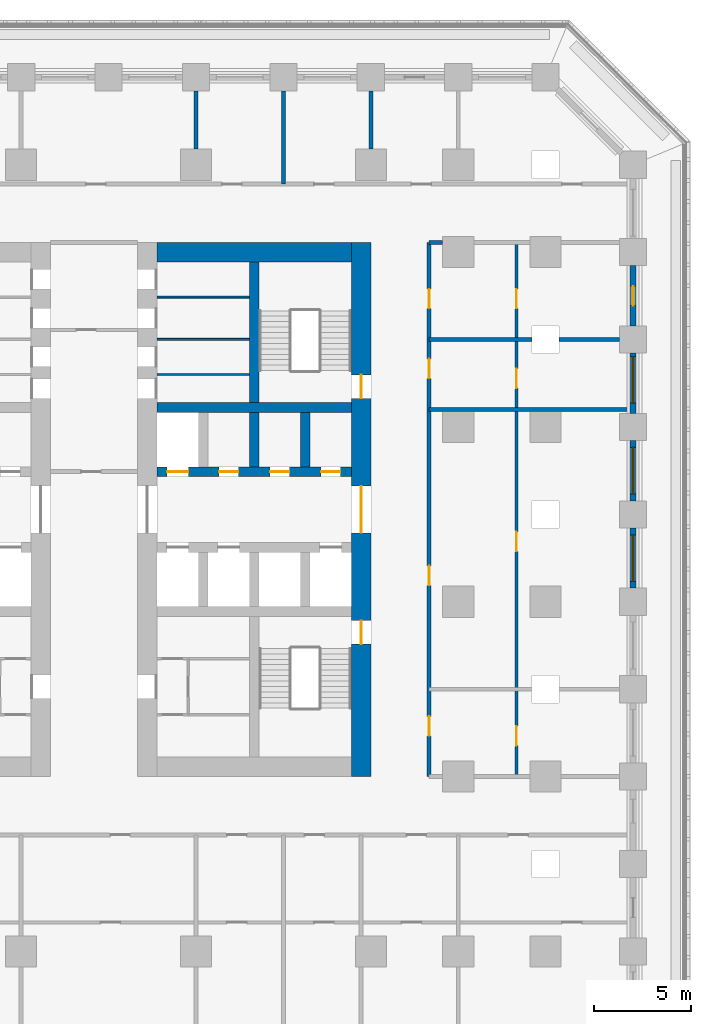
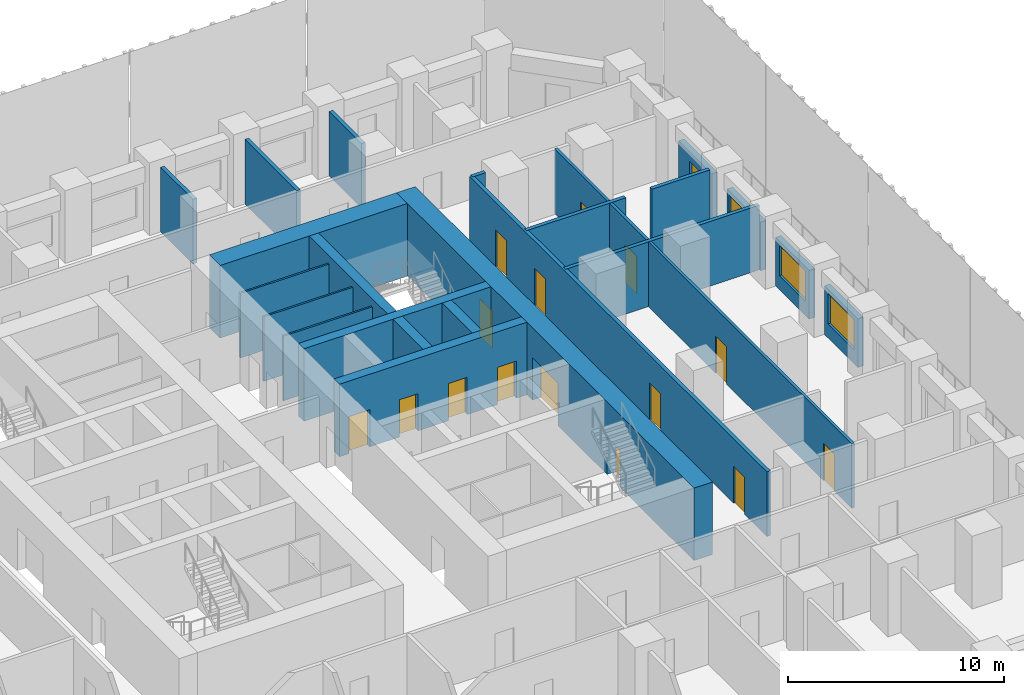
# One storey, part 8 of 15: 23 walls, 16 doors, 3 windows, 19 openings.
"""IFC4 building model written with IfcOpenShell, lengths in metres."""

import ifcopenshell
import ifcopenshell.guid

model = None  # the IFC model being written
_history = None  # IfcOwnerHistory: only IFC2X3 demands one
_inside = {}  # id of a spatial element -> (the spatial element, [elements in it])
_under = {}  # id of a project, library or spatial element -> (it, [spatial elements below it])
_declared = {}  # id of a project -> (the project, [libraries it declares])
_typed = {}  # id of a type object -> (the type object, [elements of that type])
_made_of = {}  # id of a material, layer set ... -> (it, [elements and type objects made of it])


def new_model(schema):
    """Start an empty IFC model of exactly this schema.

    Asked for "IFC4X3", IfcOpenShell would pick the latest addendum, in which some entities
    have other attributes; the version numbers below select the first issue.
    IFC2X3 requires an IfcOwnerHistory on every rooted entity: one is made here for all.
    """
    global model, _history
    if schema == "IFC4X3":
        model = ifcopenshell.file(schema_version=(4, 3, 0, 0))
    else:
        model = ifcopenshell.file(schema=schema)
    _inside.clear()
    _under.clear()
    _declared.clear()
    _typed.clear()
    _made_of.clear()
    _history = None
    if model.schema == "IFC2X3":
        org = make("IfcOrganization", Name="unknown")
        user = make(
            "IfcPersonAndOrganization",
            ThePerson=make("IfcPerson", FamilyName="unknown"),
            TheOrganization=org,
        )
        app = make(
            "IfcApplication",
            ApplicationDeveloper=org,
            Version="unknown",
            ApplicationFullName="unknown",
            ApplicationIdentifier="unknown",
        )
        _history = make(
            "IfcOwnerHistory",
            OwningUser=user,
            OwningApplication=app,
            ChangeAction="ADDED",
            CreationDate=0,
        )
    return model


def make(cls, **values):
    """One entity of the class cls with the attributes given. An attribute that is None is left unset."""
    return model.create_entity(
        cls, **{name: value for name, value in values.items() if value is not None}
    )


def rooted(cls, **values):
    """An entity with a GlobalId (a new one), such as an element, a storey or a relation."""
    return make(cls, GlobalId=ifcopenshell.guid.new(), OwnerHistory=_history, **values)


def si_unit(unit_type, name, prefix=None):
    """IfcSIUnit, for example si_unit("LENGTHUNIT", "METRE", prefix="MILLI")."""
    return make("IfcSIUnit", UnitType=unit_type, Prefix=prefix, Name=name)


def assignment(units):
    """IfcUnitAssignment: the units of a project."""
    return None if units is None else make("IfcUnitAssignment", Units=units)


def point(xyz):
    """IfcCartesianPoint."""
    return None if xyz is None else make("IfcCartesianPoint", Coordinates=xyz)


def direction(xyz):
    """IfcDirection."""
    return None if xyz is None else make("IfcDirection", DirectionRatios=xyz)


def frame(location, z_axis=None, x_axis=None):
    """IfcAxis2Placement3D, a coordinate frame: its origin and axes. An axis left out is left unset."""
    return make(
        "IfcAxis2Placement3D",
        Location=point(location),
        Axis=direction(z_axis),
        RefDirection=direction(x_axis),
    )


def frame_2d(location, x_axis=None):
    """IfcAxis2Placement2D, a coordinate frame in the plane: its origin and x axis."""
    return make(
        "IfcAxis2Placement2D", Location=point(location), RefDirection=direction(x_axis)
    )


def origin():
    """The frame at (0, 0, 0) with its axes left unset."""
    return frame((0.0, 0.0, 0.0))


def place(relative_to, where):
    """IfcLocalPlacement: puts the frame where relative to a parent placement (None: the world)."""
    return make(
        "IfcLocalPlacement", PlacementRelTo=relative_to, RelativePlacement=where
    )


def context(
    kind, dimensions, precision=None, world=None, true_north=None, identifier=None
):
    """IfcGeometricRepresentationContext, for example the 3D "Model" context."""
    return make(
        "IfcGeometricRepresentationContext",
        ContextIdentifier=identifier,
        ContextType=kind,
        CoordinateSpaceDimension=dimensions,
        Precision=precision,
        WorldCoordinateSystem=world,
        TrueNorth=true_north,
    )


def subcontext(parent, identifier, kind, view, scale=None):
    """IfcGeometricRepresentationSubContext, for example "Body" below "Model"."""
    return make(
        "IfcGeometricRepresentationSubContext",
        ContextIdentifier=identifier,
        ContextType=kind,
        ParentContext=parent,
        TargetScale=scale,
        TargetView=view,
    )


def project(units=None, contexts=None):
    """IfcProject with its units and contexts."""
    return rooted(
        "IfcProject",
        Name="project",
        RepresentationContexts=contexts,
        UnitsInContext=assignment(units),
    )


def spatial(cls, under=None, at=None, **own):
    """A site, building, storey or space (cls), placed at a placement, below another one or the project."""
    s = rooted(cls, ObjectPlacement=at, **own)
    if under is not None:
        _under.setdefault(under.id(), (under, []))[1].append(s)
    return s


def profile(cls, at=None, kind="AREA", **sizes):
    """A parametric profile (cls). Its sizes go by their IFC names, for example OverallWidth=200.0."""
    return make(cls, ProfileType=kind, Position=at, **sizes)


def rectangle(**sizes):
    """IfcRectangleProfileDef."""
    return profile("IfcRectangleProfileDef", **sizes)


def extrude(swept, where, along, depth):
    """IfcExtrudedAreaSolid: the profile swept, set in the frame where, extruded along a direction by depth."""
    return make(
        "IfcExtrudedAreaSolid",
        SweptArea=swept,
        Position=where,
        ExtrudedDirection=direction(along),
        Depth=depth,
    )


def shape(context_of_items, identifier, shape_type, items):
    """IfcShapeRepresentation: the items that make up one representation, for example the "Body"."""
    return make(
        "IfcShapeRepresentation",
        ContextOfItems=context_of_items,
        RepresentationIdentifier=identifier,
        RepresentationType=shape_type,
        Items=items,
    )


def material(Name=None, Category=None):
    """IfcMaterial."""
    return make("IfcMaterial", Name=Name, Category=Category)


def layer(
    of_material, thickness, ventilated=None, Name=None, Category=None, Priority=None
):
    """IfcMaterialLayer: one layer of a wall or slab, of a material (None: an air gap)."""
    return make(
        "IfcMaterialLayer",
        Material=of_material,
        LayerThickness=thickness,
        IsVentilated=ventilated,
        Name=Name,
        Category=Category,
        Priority=Priority,
    )


def layer_set(layers, Name=None):
    """IfcMaterialLayerSet."""
    return make("IfcMaterialLayerSet", MaterialLayers=layers, LayerSetName=Name)


def made_of(thing, what):
    """Note that an element or type object is made of a material, layer set ...; save() writes the relation."""
    if what is not None:
        _made_of.setdefault(what.id(), (what, []))[1].append(thing)
    return thing


def type_object(cls, material=None, **own):
    """A type object (cls), such as IfcWallType, which elements share."""
    return made_of(rooted(cls, **own), material)


def element(
    cls,
    number,
    at=None,
    inside=None,
    cuts=None,
    type_object=None,
    material=None,
    context=None,
    identifier="Body",
    shape_type=None,
    held_by="IfcProductDefinitionShape",
    body=None,
    shapes=None,
    **own,
):
    """One element of the class cls, such as IfcWall. Its Tag is "e" and its number.

    at: its placement. inside: the storey or other place that contains it. cuts: it is an
    opening in that element (IfcRelVoidsElement). A single representation is given by context,
    identifier, shape_type and body (its items); several are given by shapes. held_by: the class
    of the entity that holds the representations. save() writes the other relations.
    """
    e = rooted(cls, Tag="e%d" % number, ObjectPlacement=at, **own)
    if body is not None:
        shapes = [shape(context, identifier, shape_type, body)]
    if shapes is not None:
        e.Representation = make(held_by, Representations=shapes)
    if inside is not None:
        _inside.setdefault(inside.id(), (inside, []))[1].append(e)
    if cuts is not None:
        rooted(
            "IfcRelVoidsElement", RelatingBuildingElement=cuts, RelatedOpeningElement=e
        )
    if type_object is not None:
        _typed.setdefault(type_object.id(), (type_object, []))[1].append(e)
    return made_of(e, material)


def fill(opening, filler):
    """IfcRelFillsElement: the door or window that sits in an opening."""
    return rooted(
        "IfcRelFillsElement",
        RelatingOpeningElement=opening,
        RelatedBuildingElement=filler,
    )


def aggregate(whole, parts):
    """IfcRelAggregates: a whole, such as a stair, and the parts it consists of."""
    return rooted("IfcRelAggregates", RelatingObject=whole, RelatedObjects=parts)


def save(model, path):
    """Write the relations noted so far, then the file.

    IfcRelAggregates (storeys below a building ...), IfcRelContainedInSpatialStructure (elements
    in a storey), IfcRelDefinesByType, IfcRelAssociatesMaterial and IfcRelDeclares: one each for
    every whole, place, type object, material and project.
    """
    for whole, parts in _under.values():
        aggregate(whole, parts)
    for where, things in _inside.values():
        rooted(
            "IfcRelContainedInSpatialStructure",
            RelatedElements=things,
            RelatingStructure=where,
        )
    for kind, things in _typed.values():
        rooted("IfcRelDefinesByType", RelatedObjects=things, RelatingType=kind)
    for what, things in _made_of.values():
        rooted("IfcRelAssociatesMaterial", RelatedObjects=things, RelatingMaterial=what)
    for by, libraries in _declared.values():
        rooted("IfcRelDeclares", RelatingContext=by, RelatedDefinitions=libraries)
    model.write(path)


model = new_model("IFC4")

# Units and contexts
model_context = context("Model", 3, precision=1e-05, world=origin(), true_north=direction((0.0, 1.0)))
body_context = subcontext(model_context, "Body", "Model", "MODEL_VIEW")
ifc_project = project(units=[si_unit("LENGTHUNIT", "METRE"), si_unit("AREAUNIT", "SQUARE_METRE"), si_unit("VOLUMEUNIT", "CUBIC_METRE"), si_unit("PLANEANGLEUNIT", "RADIAN"), si_unit("MASSUNIT", "GRAM", prefix="KILO")], contexts=[model_context])

# Site, building, storey
site_placement = place(None, origin())
site = spatial("IfcSite", under=ifc_project, at=site_placement, CompositionType="ELEMENT")
building_placement = place(site_placement, origin())
building = spatial("IfcBuilding", under=site, at=building_placement, Name="Corbel Stack Research Tower", CompositionType="ELEMENT")
storey_placement = place(building_placement, frame((0.0, 0.0, 41.89990234375)))
storey = spatial("IfcBuildingStorey", under=building, at=storey_placement, Name="L09", CompositionType="ELEMENT", Elevation=41.89990234375)

# Wall, openings, doors
ifc_material_1 = material(Name="Concrete C70/85", Category="concrete")
ifc_layer_1 = layer(ifc_material_1, 1.0)
ifc_layer_set_1 = layer_set([ifc_layer_1], Name="Concrete C70/85")
wall_type_1 = type_object("IfcWallType", Name="CW-1000-70", PredefinedType="SHEAR", material=ifc_layer_set_1)
wall_1_placement = place(storey_placement, frame((17.5, -9.0, 0.0), z_axis=(0.0, 0.0, 1.0), x_axis=(0.0, 1.0, 0.0)))
wall_1 = element("IfcWall", 1, at=wall_1_placement, inside=storey, type_object=wall_type_1, Name="East core wall, east face L09", PredefinedType="SHEAR", context=body_context, shape_type="SweptSolid", body=[
    extrude(rectangle(XDim=27.5, YDim=1.0, at=frame_2d((13.75, 0.0))), origin(), (0.0, 0.0, 1.0), 4.10009765625),
])
opening_1_placement = place(wall_1_placement, frame((12.550048828125, 0.0, 0.0)))
opening_1 = element("IfcOpeningElement", 2, at=opening_1_placement, cuts=wall_1, Name="Opening CD-E-E", PredefinedType="OPENING", context=body_context, shape_type="SweptSolid", body=[
    extrude(rectangle(XDim=2.39990234375, YDim=2.39990234375, at=frame_2d((1.199951171875, 1.199951171875))), frame((0.0, 0.510009765625, 0.0), z_axis=(0.0, -1.0, 0.0), x_axis=(1.0, 0.0, 0.0)), (0.0, 0.0, 1.0), 1.02001953125),
])
opening_2_placement = place(wall_1_placement, frame((6.824951171875, 0.0, 0.0)))
opening_2 = element("IfcOpeningElement", 3, at=opening_2_placement, cuts=wall_1, Name="Opening SD-ST-E1", PredefinedType="OPENING", context=body_context, shape_type="SweptSolid", body=[
    extrude(rectangle(XDim=1.199951171875, YDim=2.10009765625, at=frame_2d((0.60009765625, 1.050048828125))), frame((0.0, 0.510009765625, 0.0), z_axis=(0.0, -1.0, 0.0), x_axis=(1.0, 0.0, 0.0)), (0.0, 0.0, 1.0), 1.02001953125),
])
opening_3_placement = place(wall_1_placement, frame((19.47509765625, 0.0, 0.0)))
opening_3 = element("IfcOpeningElement", 4, at=opening_3_placement, cuts=wall_1, Name="Opening SD-ST-E2", PredefinedType="OPENING", context=body_context, shape_type="SweptSolid", body=[
    extrude(rectangle(XDim=1.199951171875, YDim=2.10009765625, at=frame_2d((0.60009765625, 1.050048828125))), frame((0.0, 0.510009765625, 0.0), z_axis=(0.0, -1.0, 0.0), x_axis=(1.0, 0.0, 0.0)), (0.0, 0.0, 1.0), 1.02001953125),
])
ifc_material_2 = material(Name="Painted steel fire door", Category="steel")
door_type_1 = type_object("IfcDoorType", Name="Lobby door pair 2400 x 2400 FD30S", OperationType="DOUBLE_DOOR_DOUBLE_SWING", PredefinedType="DOOR", material=ifc_material_2)
door_1_placement = place(opening_1_placement, origin())
door_1 = element("IfcDoor", 5, at=door_1_placement, inside=storey, type_object=door_type_1, Name="Lift lobby door E core E", OperationType="DOUBLE_DOOR_DOUBLE_SWING", OverallHeight=2.39990234375, OverallWidth=2.39990234375, PredefinedType="DOOR", context=body_context, shape_type="SweptSolid", body=[
    extrude(rectangle(XDim=2.39990234375, YDim=2.39990234375, at=frame_2d((1.199951171875, 1.199951171875))), frame((0.0, 0.02490234375, 0.0), z_axis=(0.0, -1.0, 0.0), x_axis=(1.0, 0.0, 0.0)), (0.0, 0.0, 1.0), 0.050048828125),
])
fill(opening_1, door_1)
ifc_material_3 = material(Name="Painted steel fire door", Category="steel")
door_type_2 = type_object("IfcDoorType", Name="Stair door 1200 x 2100 FD90 right hand", OperationType="SINGLE_SWING_RIGHT", PredefinedType="DOOR", material=ifc_material_3)
door_2_placement = place(opening_2_placement, frame((1.199951171875, 0.0, 0.0), z_axis=(0.0, 0.0, 1.0), x_axis=(-1.0, 0.0, 0.0)))
door_2 = element("IfcDoor", 6, at=door_2_placement, inside=storey, type_object=door_type_2, Name="Stair door ST-E1", OperationType="SINGLE_SWING_LEFT", OverallHeight=2.10009765625, OverallWidth=1.199951171875, PredefinedType="DOOR", context=body_context, shape_type="SweptSolid", body=[
    extrude(rectangle(XDim=1.199951171875, YDim=2.10009765625, at=frame_2d((0.60009765625, 1.050048828125))), frame((0.0, 0.02490234375, 0.0), z_axis=(0.0, -1.0, 0.0), x_axis=(1.0, 0.0, 0.0)), (0.0, 0.0, 1.0), 0.050048828125),
])
fill(opening_2, door_2)
door_3_placement = place(opening_3_placement, frame((1.199951171875, 0.0, 0.0), z_axis=(0.0, 0.0, 1.0), x_axis=(-1.0, 0.0, 0.0)))
door_3 = element("IfcDoor", 7, at=door_3_placement, inside=storey, type_object=door_type_2, Name="Stair door ST-E2", OperationType="SINGLE_SWING_LEFT", OverallHeight=2.10009765625, OverallWidth=1.199951171875, PredefinedType="DOOR", context=body_context, shape_type="SweptSolid", body=[
    extrude(rectangle(XDim=1.199951171875, YDim=2.10009765625, at=frame_2d((0.60009765625, 1.050048828125))), frame((0.0, 0.02490234375, 0.0), z_axis=(0.0, -1.0, 0.0), x_axis=(1.0, 0.0, 0.0)), (0.0, 0.0, 1.0), 0.050048828125),
])
fill(opening_3, door_3)

# Wall
wall_2_placement = place(storey_placement, frame((7.0, 18.0, 0.0), z_axis=(0.0, 0.0, 1.0), x_axis=(1.0, 0.0, 0.0)))
element("IfcWall", 8, at=wall_2_placement, inside=storey, type_object=wall_type_1, Name="East core wall, north end L09", PredefinedType="SHEAR", context=body_context, shape_type="SweptSolid", body=[
    extrude(rectangle(XDim=10.0, YDim=1.0, at=frame_2d((5.0, 0.0))), origin(), (0.0, 0.0, 1.0), 4.10009765625),
])

# Wall, openings, doors
ifc_material_4 = material(Name="Concrete C70/85", Category="concrete")
ifc_layer_2 = layer(ifc_material_4, 0.5)
ifc_layer_set_2 = layer_set([ifc_layer_2], Name="Concrete C70/85")
wall_type_2 = type_object("IfcWallType", Name="CW-500-70", PredefinedType="SHEAR", material=ifc_layer_set_2)
wall_3_placement = place(storey_placement, frame((7.0, 6.699951171875, 0.0), z_axis=(0.0, 0.0, 1.0), x_axis=(1.0, 0.0, 0.0)))
wall_3 = element("IfcWall", 9, at=wall_3_placement, inside=storey, type_object=wall_type_2, Name="East core wall, lobby north L09", PredefinedType="SHEAR", context=body_context, shape_type="SweptSolid", body=[
    extrude(rectangle(XDim=10.0, YDim=0.5, at=frame_2d((5.0, 0.0))), origin(), (0.0, 0.0, 1.0), 4.10009765625),
])
opening_4_placement = place(wall_3_placement, frame((0.512451171875, 0.0, 0.0)))
opening_4 = element("IfcOpeningElement", 10, at=opening_4_placement, cuts=wall_3, Name="Opening LD-LR4", PredefinedType="OPENING", context=body_context, shape_type="SweptSolid", body=[
    extrude(rectangle(XDim=1.10009765625, YDim=2.10009765625, at=frame_2d((0.550048828125, 1.050048828125))), frame((0.0, 0.260009765625, 0.0), z_axis=(0.0, -1.0, 0.0), x_axis=(1.0, 0.0, 0.0)), (0.0, 0.0, 1.0), 0.52001953125),
])
opening_5_placement = place(wall_3_placement, frame((3.1875, 0.0, 0.0)))
opening_5 = element("IfcOpeningElement", 11, at=opening_5_placement, cuts=wall_3, Name="Opening CR-E36-N2", PredefinedType="OPENING", context=body_context, shape_type="SweptSolid", body=[
    extrude(rectangle(XDim=1.0, YDim=2.10009765625, at=frame_2d((0.5, 1.050048828125))), frame((0.0, 0.260009765625, 0.0), z_axis=(0.0, -1.0, 0.0), x_axis=(1.0, 0.0, 0.0)), (0.0, 0.0, 1.0), 0.52001953125),
])
opening_6_placement = place(wall_3_placement, frame((5.8125, 0.0, 0.0)))
opening_6 = element("IfcOpeningElement", 12, at=opening_6_placement, cuts=wall_3, Name="Opening CR-E36-N3", PredefinedType="OPENING", context=body_context, shape_type="SweptSolid", body=[
    extrude(rectangle(XDim=1.0, YDim=2.10009765625, at=frame_2d((0.5, 1.050048828125))), frame((0.0, 0.260009765625, 0.0), z_axis=(0.0, -1.0, 0.0), x_axis=(1.0, 0.0, 0.0)), (0.0, 0.0, 1.0), 0.52001953125),
])
opening_7_placement = place(wall_3_placement, frame((8.4375, 0.0, 0.0)))
opening_7 = element("IfcOpeningElement", 13, at=opening_7_placement, cuts=wall_3, Name="Opening CR-E36-N4", PredefinedType="OPENING", context=body_context, shape_type="SweptSolid", body=[
    extrude(rectangle(XDim=1.0, YDim=2.10009765625, at=frame_2d((0.5, 1.050048828125))), frame((0.0, 0.260009765625, 0.0), z_axis=(0.0, -1.0, 0.0), x_axis=(1.0, 0.0, 0.0)), (0.0, 0.0, 1.0), 0.52001953125),
])
ifc_material_5 = material(Name="Stainless steel landing door", Category="steel")
door_type_3 = type_object("IfcDoorType", Name="Lift landing door 1100 x 2100", OperationType="DOUBLE_DOOR_SLIDING", PredefinedType="DOOR", material=ifc_material_5)
door_4_placement = place(opening_4_placement, origin())
door_4 = element("IfcDoor", 14, at=door_4_placement, inside=storey, type_object=door_type_3, Name="Landing door LR4", OperationType="DOUBLE_DOOR_SLIDING", OverallHeight=2.10009765625, OverallWidth=1.10009765625, PredefinedType="DOOR", context=body_context, shape_type="SweptSolid", body=[
    extrude(rectangle(XDim=1.10009765625, YDim=2.10009765625, at=frame_2d((0.550048828125, 1.050048828125))), frame((0.0, 0.02490234375, 0.0), z_axis=(0.0, -1.0, 0.0), x_axis=(1.0, 0.0, 0.0)), (0.0, 0.0, 1.0), 0.050048828125),
])
fill(opening_4, door_4)
ifc_material_6 = material(Name="Painted steel door", Category="steel")
door_type_4 = type_object("IfcDoorType", Name="Service door 1000 x 2100 FD60 left hand", OperationType="SINGLE_SWING_LEFT", PredefinedType="DOOR", material=ifc_material_6)
door_5_placement = place(opening_6_placement, origin())
door_5 = element("IfcDoor", 15, at=door_5_placement, inside=storey, type_object=door_type_4, Name="Pantry door E core", OperationType="SINGLE_SWING_LEFT", OverallHeight=2.10009765625, OverallWidth=1.0, PredefinedType="DOOR", context=body_context, shape_type="SweptSolid", body=[
    extrude(rectangle(XDim=1.0, YDim=2.10009765625, at=frame_2d((0.5, 1.050048828125))), frame((0.0, 0.02490234375, 0.0), z_axis=(0.0, -1.0, 0.0), x_axis=(1.0, 0.0, 0.0)), (0.0, 0.0, 1.0), 0.050048828125),
])
fill(opening_6, door_5)
ifc_material_7 = material(Name="Painted steel door", Category="steel")
door_type_5 = type_object("IfcDoorType", Name="Service door 1000 x 2100 FD60 right hand", OperationType="SINGLE_SWING_RIGHT", PredefinedType="DOOR", material=ifc_material_7)
door_6_placement = place(opening_5_placement, origin())
door_6 = element("IfcDoor", 16, at=door_6_placement, inside=storey, type_object=door_type_5, Name="Electrical room door E core", OperationType="SINGLE_SWING_RIGHT", OverallHeight=2.10009765625, OverallWidth=1.0, PredefinedType="DOOR", context=body_context, shape_type="SweptSolid", body=[
    extrude(rectangle(XDim=1.0, YDim=2.10009765625, at=frame_2d((0.5, 1.050048828125))), frame((0.0, 0.02490234375, 0.0), z_axis=(0.0, -1.0, 0.0), x_axis=(1.0, 0.0, 0.0)), (0.0, 0.0, 1.0), 0.050048828125),
])
fill(opening_5, door_6)
door_7_placement = place(opening_7_placement, origin())
door_7 = element("IfcDoor", 17, at=door_7_placement, inside=storey, type_object=door_type_5, Name="Staff WC door E core", OperationType="SINGLE_SWING_RIGHT", OverallHeight=2.10009765625, OverallWidth=1.0, PredefinedType="DOOR", context=body_context, shape_type="SweptSolid", body=[
    extrude(rectangle(XDim=1.0, YDim=2.10009765625, at=frame_2d((0.5, 1.050048828125))), frame((0.0, 0.02490234375, 0.0), z_axis=(0.0, -1.0, 0.0), x_axis=(1.0, 0.0, 0.0)), (0.0, 0.0, 1.0), 0.050048828125),
])
fill(opening_7, door_7)

# Walls
wall_4_placement = place(storey_placement, frame((7.0, 10.0, 0.0), z_axis=(0.0, 0.0, 1.0), x_axis=(1.0, 0.0, 0.0)))
element("IfcWall", 18, at=wall_4_placement, inside=storey, type_object=wall_type_2, Name="East core wall, north row back L09", PredefinedType="SHEAR", context=body_context, shape_type="SweptSolid", body=[
    extrude(rectangle(XDim=10.0, YDim=0.5, at=frame_2d((5.0, 0.0))), origin(), (0.0, 0.0, 1.0), 4.10009765625),
])
for number, where, z_axis, x_axis, name in (
    (19, (12.0, 6.949951171875, 0.0), (0.0, 0.0, 1.0), (0.0, 1.0, 0.0), "East core wall, north shaft 2 L09"),
    (20, (14.625, 6.949951171875, 0.0), (0.0, 0.0, 1.0), (0.0, 1.0, 0.0), "East core wall, north shaft 3 L09"),
):
    element("IfcWall", number, at=place(storey_placement, frame(where, z_axis=z_axis, x_axis=x_axis)), inside=storey, type_object=wall_type_2, Name=name, PredefinedType="SHEAR", context=body_context, shape_type="SweptSolid", body=[
        extrude(rectangle(XDim=2.800048828125, YDim=0.5, at=frame_2d((1.39990234375, 0.0))), origin(), (0.0, 0.0, 1.0), 4.10009765625),
    ])
wall_5_placement = place(storey_placement, frame((12.0, 10.25, 0.0), z_axis=(0.0, 0.0, 1.0), x_axis=(0.0, 1.0, 0.0)))
element("IfcWall", 21, at=wall_5_placement, inside=storey, type_object=wall_type_2, Name="East core wall, north stair and riser L09", PredefinedType="SHEAR", context=body_context, shape_type="SweptSolid", body=[
    extrude(rectangle(XDim=7.25, YDim=0.5, at=frame_2d((3.625, 0.0))), origin(), (0.0, 0.0, 1.0), 4.10009765625),
])
ifc_material_8 = material(Name="Gypsum board")
ifc_layer_3 = layer(ifc_material_8, 0.10009765625)
ifc_layer_set_3 = layer_set([ifc_layer_3], Name="Gypsum board")
wall_type_3 = type_object("IfcWallType", Name="Core partition 100", PredefinedType="PARTITIONING", material=ifc_layer_set_3)
for number, where, z_axis, x_axis, name in (
    (22, (7.0, 11.699951171875, 0.0), (0.0, 0.0, 1.0), (1.0, 0.0, 0.0), "Core partition E"),
    (23, (7.0, 13.512451171875, 0.0), (0.0, 0.0, 1.0), (1.0, 0.0, 0.0), "Core partition E"),
    (24, (7.0, 15.6875, 0.0), (0.0, 0.0, 1.0), (1.0, 0.0, 0.0), "Core partition E"),
):
    element("IfcWall", number, at=place(storey_placement, frame(where, z_axis=z_axis, x_axis=x_axis)), inside=storey, type_object=wall_type_3, Name=name, PredefinedType="PARTITIONING", context=body_context, shape_type="SweptSolid", body=[
        extrude(rectangle(XDim=4.75, YDim=0.10009765625, at=frame_2d((2.375, 0.0))), origin(), (0.0, 0.0, 1.0), 3.650146484375),
    ])
ifc_material_9 = material(Name="Fire-rated gypsum board partition on steel studs", Category="steel")
ifc_layer_4 = layer(ifc_material_9, 0.199951171875)
ifc_layer_set_4 = layer_set([ifc_layer_4], Name="Fire-rated gypsum board partition on steel studs")
wall_type_4 = type_object("IfcWallType", Name="Fire-rated partition 200 EI 60", PredefinedType="PARTITIONING", material=ifc_layer_set_4)
wall_6_placement = place(storey_placement, frame((9.0, 23.300048828125, 0.0), z_axis=(0.0, 0.0, 1.0), x_axis=(0.0, 1.0, 0.0)))
element("IfcWall", 25, at=wall_6_placement, inside=storey, type_object=wall_type_4, Name="Partition L09-016", PredefinedType="PARTITIONING", context=body_context, shape_type="SweptSolid", body=[
    extrude(rectangle(XDim=3.0, YDim=0.199951171875, at=frame_2d((1.5, 0.0))), origin(), (0.0, 0.0, 1.0), 3.650146484375),
])
wall_7_placement = place(storey_placement, frame((13.5, 21.5, 0.0), z_axis=(0.0, 0.0, 1.0), x_axis=(0.0, 1.0, 0.0)))
element("IfcWall", 26, at=wall_7_placement, inside=storey, type_object=wall_type_4, Name="Partition L09-018", PredefinedType="PARTITIONING", context=body_context, shape_type="SweptSolid", body=[
    extrude(rectangle(XDim=4.800048828125, YDim=0.199951171875, at=frame_2d((2.39990234375, 0.0))), origin(), (0.0, 0.0, 1.0), 3.650146484375),
])
wall_8_placement = place(storey_placement, frame((18.0, 23.300048828125, 0.0), z_axis=(0.0, 0.0, 1.0), x_axis=(0.0, 1.0, 0.0)))
element("IfcWall", 27, at=wall_8_placement, inside=storey, type_object=wall_type_4, Name="Partition L09-021", PredefinedType="PARTITIONING", context=body_context, shape_type="SweptSolid", body=[
    extrude(rectangle(XDim=3.0, YDim=0.199951171875, at=frame_2d((1.5, 0.0))), origin(), (0.0, 0.0, 1.0), 3.650146484375),
])

# Wall, openings, doors
wall_9_placement = place(storey_placement, frame((21.0, 18.5, 0.0), z_axis=(0.0, 0.0, 1.0), x_axis=(0.0, -1.0, 0.0)))
wall_9 = element("IfcWall", 28, at=wall_9_placement, inside=storey, type_object=wall_type_4, Name="Partition L09-022", PredefinedType="PARTITIONING", context=body_context, shape_type="SweptSolid", body=[
    extrude(rectangle(XDim=27.5, YDim=0.199951171875, at=frame_2d((13.75, 0.0))), origin(), (0.0, 0.0, 1.0), 3.650146484375),
])
opening_8_placement = place(wall_9_placement, frame((24.39990234375, 0.0, 0.0)))
opening_8 = element("IfcOpeningElement", 29, at=opening_8_placement, cuts=wall_9, Name="Opening B2V0H-027", PredefinedType="OPENING", context=body_context, shape_type="SweptSolid", body=[
    extrude(rectangle(XDim=1.0, YDim=2.10009765625, at=frame_2d((0.5, 1.050048828125))), frame((0.0, 0.10986328125, 0.0), z_axis=(0.0, -1.0, 0.0), x_axis=(1.0, 0.0, 0.0)), (0.0, 0.0, 1.0), 0.219970703125),
])
opening_9_placement = place(wall_9_placement, frame((16.64990234375, 0.0, 0.0)))
opening_9 = element("IfcOpeningElement", 30, at=opening_9_placement, cuts=wall_9, Name="Opening B2V0H-028", PredefinedType="OPENING", context=body_context, shape_type="SweptSolid", body=[
    extrude(rectangle(XDim=1.0, YDim=2.10009765625, at=frame_2d((0.5, 1.050048828125))), frame((0.0, 0.10986328125, 0.0), z_axis=(0.0, -1.0, 0.0), x_axis=(1.0, 0.0, 0.0)), (0.0, 0.0, 1.0), 0.219970703125),
])
opening_10_placement = place(wall_9_placement, frame((6.0, 0.0, 0.0)))
opening_10 = element("IfcOpeningElement", 31, at=opening_10_placement, cuts=wall_9, Name="Opening B2V0H-029", PredefinedType="OPENING", context=body_context, shape_type="SweptSolid", body=[
    extrude(rectangle(XDim=1.0, YDim=2.10009765625, at=frame_2d((0.5, 1.050048828125))), frame((0.0, 0.10986328125, 0.0), z_axis=(0.0, -1.0, 0.0), x_axis=(1.0, 0.0, 0.0)), (0.0, 0.0, 1.0), 0.219970703125),
])
opening_11_placement = place(wall_9_placement, frame((2.39990234375, 0.0, 0.0)))
opening_11 = element("IfcOpeningElement", 32, at=opening_11_placement, cuts=wall_9, Name="Opening B2V0H-030", PredefinedType="OPENING", context=body_context, shape_type="SweptSolid", body=[
    extrude(rectangle(XDim=1.0, YDim=2.10009765625, at=frame_2d((0.5, 1.050048828125))), frame((0.0, 0.10986328125, 0.0), z_axis=(0.0, -1.0, 0.0), x_axis=(1.0, 0.0, 0.0)), (0.0, 0.0, 1.0), 0.219970703125),
])
ifc_material_10 = material(Name="Painted steel fire door", Category="steel")
door_type_6 = type_object("IfcDoorType", Name="Fire door FD30S 1000 x 2100", OperationType="NOTDEFINED", PredefinedType="DOOR", material=ifc_material_10)
door_8_placement = place(opening_8_placement, origin())
door_8 = element("IfcDoor", 33, at=door_8_placement, inside=storey, type_object=door_type_6, Name="Door B2V0H-027", OperationType="SINGLE_SWING_RIGHT", OverallHeight=2.10009765625, OverallWidth=1.0, PredefinedType="DOOR", context=body_context, shape_type="SweptSolid", body=[
    extrude(rectangle(XDim=1.0, YDim=2.10009765625, at=frame_2d((0.5, 1.050048828125))), frame((0.0, 0.02490234375, 0.0), z_axis=(0.0, -1.0, 0.0), x_axis=(1.0, 0.0, 0.0)), (0.0, 0.0, 1.0), 0.050048828125),
])
fill(opening_8, door_8)
door_9_placement = place(opening_9_placement, origin())
door_9 = element("IfcDoor", 34, at=door_9_placement, inside=storey, type_object=door_type_6, Name="Door B2V0H-028", OperationType="SINGLE_SWING_RIGHT", OverallHeight=2.10009765625, OverallWidth=1.0, PredefinedType="DOOR", context=body_context, shape_type="SweptSolid", body=[
    extrude(rectangle(XDim=1.0, YDim=2.10009765625, at=frame_2d((0.5, 1.050048828125))), frame((0.0, 0.02490234375, 0.0), z_axis=(0.0, -1.0, 0.0), x_axis=(1.0, 0.0, 0.0)), (0.0, 0.0, 1.0), 0.050048828125),
])
fill(opening_9, door_9)
door_10_placement = place(opening_10_placement, origin())
door_10 = element("IfcDoor", 35, at=door_10_placement, inside=storey, type_object=door_type_6, Name="Door B2V0H-029", OperationType="SINGLE_SWING_LEFT", OverallHeight=2.10009765625, OverallWidth=1.0, PredefinedType="DOOR", context=body_context, shape_type="SweptSolid", body=[
    extrude(rectangle(XDim=1.0, YDim=2.10009765625, at=frame_2d((0.5, 1.050048828125))), frame((0.0, 0.02490234375, 0.0), z_axis=(0.0, -1.0, 0.0), x_axis=(1.0, 0.0, 0.0)), (0.0, 0.0, 1.0), 0.050048828125),
])
fill(opening_10, door_10)
door_11_placement = place(opening_11_placement, origin())
door_11 = element("IfcDoor", 36, at=door_11_placement, inside=storey, type_object=door_type_6, Name="Door B2V0H-030", OperationType="SINGLE_SWING_LEFT", OverallHeight=2.10009765625, OverallWidth=1.0, PredefinedType="DOOR", context=body_context, shape_type="SweptSolid", body=[
    extrude(rectangle(XDim=1.0, YDim=2.10009765625, at=frame_2d((0.5, 1.050048828125))), frame((0.0, 0.02490234375, 0.0), z_axis=(0.0, -1.0, 0.0), x_axis=(1.0, 0.0, 0.0)), (0.0, 0.0, 1.0), 0.050048828125),
])
fill(opening_11, door_11)

# Walls
wall_10_placement = place(storey_placement, frame((21.0, 9.89990234375, 0.0), z_axis=(0.0, 0.0, 1.0), x_axis=(1.0, 0.0, 0.0)))
element("IfcWall", 37, at=wall_10_placement, inside=storey, type_object=wall_type_4, Name="Partition L09-039", PredefinedType="PARTITIONING", context=body_context, shape_type="SweptSolid", body=[
    extrude(rectangle(XDim=10.35009765625, YDim=0.199951171875, at=frame_2d((5.175048828125, 0.0))), origin(), (0.0, 0.0, 1.0), 3.650146484375),
])
wall_11_placement = place(storey_placement, frame((21.0, 13.5, 0.0), z_axis=(0.0, 0.0, 1.0), x_axis=(1.0, 0.0, 0.0)))
element("IfcWall", 38, at=wall_11_placement, inside=storey, type_object=wall_type_4, Name="Partition L09-041", PredefinedType="PARTITIONING", context=body_context, shape_type="SweptSolid", body=[
    extrude(rectangle(XDim=5.300048828125, YDim=0.199951171875, at=frame_2d((2.64990234375, 0.0))), origin(), (0.0, 0.0, 1.0), 3.650146484375),
])
wall_12_placement = place(storey_placement, frame((27.699951171875, 13.5, 0.0), z_axis=(0.0, 0.0, 1.0), x_axis=(1.0, 0.0, 0.0)))
element("IfcWall", 39, at=wall_12_placement, inside=storey, type_object=wall_type_4, Name="Partition L09-042", PredefinedType="PARTITIONING", context=body_context, shape_type="SweptSolid", body=[
    extrude(rectangle(XDim=3.10009765625, YDim=0.199951171875, at=frame_2d((1.550048828125, 0.0))), origin(), (0.0, 0.0, 1.0), 3.650146484375),
])
wall_13_placement = place(storey_placement, frame((21.0, 18.5, 0.0), z_axis=(0.0, 0.0, 1.0), x_axis=(1.0, 0.0, 0.0)))
element("IfcWall", 40, at=wall_13_placement, inside=storey, type_object=wall_type_4, Name="Partition L09-047", PredefinedType="PARTITIONING", context=body_context, shape_type="SweptSolid", body=[
    extrude(rectangle(XDim=0.699951171875, YDim=0.199951171875, at=frame_2d((0.35009765625, 0.0))), origin(), (0.0, 0.0, 1.0), 3.650146484375),
])

# Wall, openings, doors
ifc_material_11 = material(Name="Gypsum board partition on steel studs", Category="steel")
ifc_layer_5 = layer(ifc_material_11, 0.14990234375)
ifc_layer_set_5 = layer_set([ifc_layer_5], Name="Gypsum board partition on steel studs")
wall_type_5 = type_object("IfcWallType", Name="Partition 150", PredefinedType="PARTITIONING", material=ifc_layer_set_5)
wall_14_placement = place(storey_placement, frame((25.5, 18.5, 0.0), z_axis=(0.0, 0.0, 1.0), x_axis=(0.0, -1.0, 0.0)))
wall_14 = element("IfcWall", 41, at=wall_14_placement, inside=storey, type_object=wall_type_5, Name="Partition L09-026", PredefinedType="PARTITIONING", context=body_context, shape_type="SweptSolid", body=[
    extrude(rectangle(XDim=27.5, YDim=0.14990234375, at=frame_2d((13.75, 0.0))), origin(), (0.0, 0.0, 1.0), 3.650146484375),
])
opening_12_placement = place(wall_14_placement, frame((24.89990234375, 0.0, 0.0)))
opening_12 = element("IfcOpeningElement", 42, at=opening_12_placement, cuts=wall_14, Name="Opening B2V0H-039", PredefinedType="OPENING", context=body_context, shape_type="SweptSolid", body=[
    extrude(rectangle(XDim=1.0, YDim=2.10009765625, at=frame_2d((0.5, 1.050048828125))), frame((0.0, 0.0849609375, 0.0), z_axis=(0.0, -1.0, 0.0), x_axis=(1.0, 0.0, 0.0)), (0.0, 0.0, 1.0), 0.169921875),
])
opening_13_placement = place(wall_14_placement, frame((14.89990234375, 0.0, 0.0)))
opening_13 = element("IfcOpeningElement", 43, at=opening_13_placement, cuts=wall_14, Name="Opening B2V0H-040", PredefinedType="OPENING", context=body_context, shape_type="SweptSolid", body=[
    extrude(rectangle(XDim=1.0, YDim=2.10009765625, at=frame_2d((0.5, 1.050048828125))), frame((0.0, 0.0849609375, 0.0), z_axis=(0.0, -1.0, 0.0), x_axis=(1.0, 0.0, 0.0)), (0.0, 0.0, 1.0), 0.169921875),
])
opening_14_placement = place(wall_14_placement, frame((6.5, 0.0, 0.0)))
opening_14 = element("IfcOpeningElement", 44, at=opening_14_placement, cuts=wall_14, Name="Opening B2V0H-041", PredefinedType="OPENING", context=body_context, shape_type="SweptSolid", body=[
    extrude(rectangle(XDim=1.0, YDim=2.10009765625, at=frame_2d((0.5, 1.050048828125))), frame((0.0, 0.0849609375, 0.0), z_axis=(0.0, -1.0, 0.0), x_axis=(1.0, 0.0, 0.0)), (0.0, 0.0, 1.0), 0.169921875),
])
opening_15_placement = place(wall_14_placement, frame((2.39990234375, 0.0, 0.0)))
opening_15 = element("IfcOpeningElement", 45, at=opening_15_placement, cuts=wall_14, Name="Opening B2V0H-042", PredefinedType="OPENING", context=body_context, shape_type="SweptSolid", body=[
    extrude(rectangle(XDim=1.0, YDim=2.10009765625, at=frame_2d((0.5, 1.050048828125))), frame((0.0, 0.0849609375, 0.0), z_axis=(0.0, -1.0, 0.0), x_axis=(1.0, 0.0, 0.0)), (0.0, 0.0, 1.0), 0.169921875),
])
ifc_material_12 = material(Name="Painted timber door", Category="wood")
door_type_7 = type_object("IfcDoorType", Name="Single door 1000 x 2100", OperationType="NOTDEFINED", PredefinedType="DOOR", material=ifc_material_12)
door_12_placement = place(opening_12_placement, origin())
door_12 = element("IfcDoor", 46, at=door_12_placement, inside=storey, type_object=door_type_7, Name="Door B2V0H-039", OperationType="SINGLE_SWING_RIGHT", OverallHeight=2.10009765625, OverallWidth=1.0, PredefinedType="DOOR", context=body_context, shape_type="SweptSolid", body=[
    extrude(rectangle(XDim=1.0, YDim=2.10009765625, at=frame_2d((0.5, 1.050048828125))), frame((0.0, 0.02490234375, 0.0), z_axis=(0.0, -1.0, 0.0), x_axis=(1.0, 0.0, 0.0)), (0.0, 0.0, 1.0), 0.050048828125),
])
fill(opening_12, door_12)
door_13_placement = place(opening_13_placement, origin())
door_13 = element("IfcDoor", 47, at=door_13_placement, inside=storey, type_object=door_type_7, Name="Door B2V0H-040", OperationType="SINGLE_SWING_RIGHT", OverallHeight=2.10009765625, OverallWidth=1.0, PredefinedType="DOOR", context=body_context, shape_type="SweptSolid", body=[
    extrude(rectangle(XDim=1.0, YDim=2.10009765625, at=frame_2d((0.5, 1.050048828125))), frame((0.0, 0.02490234375, 0.0), z_axis=(0.0, -1.0, 0.0), x_axis=(1.0, 0.0, 0.0)), (0.0, 0.0, 1.0), 0.050048828125),
])
fill(opening_13, door_13)
door_14_placement = place(opening_14_placement, origin())
door_14 = element("IfcDoor", 48, at=door_14_placement, inside=storey, type_object=door_type_7, Name="Door B2V0H-041", OperationType="SINGLE_SWING_LEFT", OverallHeight=2.10009765625, OverallWidth=1.0, PredefinedType="DOOR", context=body_context, shape_type="SweptSolid", body=[
    extrude(rectangle(XDim=1.0, YDim=2.10009765625, at=frame_2d((0.5, 1.050048828125))), frame((0.0, 0.02490234375, 0.0), z_axis=(0.0, -1.0, 0.0), x_axis=(1.0, 0.0, 0.0)), (0.0, 0.0, 1.0), 0.050048828125),
])
fill(opening_14, door_14)
door_15_placement = place(opening_15_placement, origin())
door_15 = element("IfcDoor", 49, at=door_15_placement, inside=storey, type_object=door_type_7, Name="Door B2V0H-042", OperationType="SINGLE_SWING_LEFT", OverallHeight=2.10009765625, OverallWidth=1.0, PredefinedType="DOOR", context=body_context, shape_type="SweptSolid", body=[
    extrude(rectangle(XDim=1.0, YDim=2.10009765625, at=frame_2d((0.5, 1.050048828125))), frame((0.0, 0.02490234375, 0.0), z_axis=(0.0, -1.0, 0.0), x_axis=(1.0, 0.0, 0.0)), (0.0, 0.0, 1.0), 0.050048828125),
])
fill(opening_15, door_15)

# Wall, opening, window
ifc_material_13 = material(Name="Concrete C45/55", Category="concrete")
ifc_layer_6 = layer(ifc_material_13, 0.300048828125)
ifc_layer_set_6 = layer_set([ifc_layer_6], Name="Concrete C45/55")
wall_type_6 = type_object("IfcWallType", Name="Terracotta-faced concrete wall 300", PredefinedType="SOLIDWALL", material=ifc_layer_set_6)
wall_15_placement = place(storey_placement, frame((31.5, 3.800048828125, 0.0), z_axis=(0.0, 0.0, 1.0), x_axis=(0.0, -1.0, 0.0)))
wall_15 = element("IfcWall", 50, at=wall_15_placement, inside=storey, type_object=wall_type_6, Name="Facade wall L09 E06", PredefinedType="SOLIDWALL", context=body_context, shape_type="SweptSolid", body=[
    extrude(rectangle(XDim=3.10009765625, YDim=0.300048828125, at=frame_2d((1.550048828125, 0.0))), origin(), (0.0, 0.0, 1.0), 2.75),
])
opening_16_placement = place(wall_15_placement, frame((0.35009765625, 0.0, 0.800048828125)))
opening_16 = element("IfcOpeningElement", 51, at=opening_16_placement, cuts=wall_15, Name="Opening W1", PredefinedType="OPENING", context=body_context, shape_type="SweptSolid", body=[
    extrude(rectangle(XDim=2.39990234375, YDim=1.699951171875, at=frame_2d((1.199951171875, 0.85009765625))), frame((0.0, 0.159912109375, 0.0), z_axis=(0.0, -1.0, 0.0), x_axis=(1.0, 0.0, 0.0)), (0.0, 0.0, 1.0), 0.320068359375),
])
ifc_material_14 = material(Name="Aluminium frame, clear double glazing", Category="aluminium")
window_type = type_object("IfcWindowType", Name="Window W1 2400 x 1700", PartitioningType="SINGLE_PANEL", PredefinedType="WINDOW", material=ifc_material_14)
window_1_placement = place(opening_16_placement, origin())
window_1 = element("IfcWindow", 52, at=window_1_placement, inside=storey, type_object=window_type, Name="Window W1 L09 E06", OverallHeight=1.699951171875, OverallWidth=2.39990234375, PartitioningType="SINGLE_PANEL", PredefinedType="WINDOW", context=body_context, shape_type="SweptSolid", body=[
    extrude(rectangle(XDim=2.39990234375, YDim=1.699951171875, at=frame_2d((1.199951171875, 0.85009765625))), frame((0.0, 0.030029296875, 0.0), z_axis=(0.0, -1.0, 0.0), x_axis=(1.0, 0.0, 0.0)), (0.0, 0.0, 1.0), 0.06005859375),
])
fill(opening_16, window_1)

wall_16_placement = place(storey_placement, frame((31.5, 8.300048828125, 0.0), z_axis=(0.0, 0.0, 1.0), x_axis=(0.0, -1.0, 0.0)))
wall_16 = element("IfcWall", 53, at=wall_16_placement, inside=storey, type_object=wall_type_6, Name="Facade wall L09 E07", PredefinedType="SOLIDWALL", context=body_context, shape_type="SweptSolid", body=[
    extrude(rectangle(XDim=3.10009765625, YDim=0.300048828125, at=frame_2d((1.550048828125, 0.0))), origin(), (0.0, 0.0, 1.0), 2.75),
])
opening_17_placement = place(wall_16_placement, frame((0.35009765625, 0.0, 0.800048828125)))
opening_17 = element("IfcOpeningElement", 54, at=opening_17_placement, cuts=wall_16, Name="Opening W1", PredefinedType="OPENING", context=body_context, shape_type="SweptSolid", body=[
    extrude(rectangle(XDim=2.39990234375, YDim=1.699951171875, at=frame_2d((1.199951171875, 0.85009765625))), frame((0.0, 0.159912109375, 0.0), z_axis=(0.0, -1.0, 0.0), x_axis=(1.0, 0.0, 0.0)), (0.0, 0.0, 1.0), 0.320068359375),
])
window_2_placement = place(opening_17_placement, origin())
window_2 = element("IfcWindow", 55, at=window_2_placement, inside=storey, type_object=window_type, Name="Window W1 L09 E07", OverallHeight=1.699951171875, OverallWidth=2.39990234375, PartitioningType="SINGLE_PANEL", PredefinedType="WINDOW", context=body_context, shape_type="SweptSolid", body=[
    extrude(rectangle(XDim=2.39990234375, YDim=1.699951171875, at=frame_2d((1.199951171875, 0.85009765625))), frame((0.0, 0.030029296875, 0.0), z_axis=(0.0, -1.0, 0.0), x_axis=(1.0, 0.0, 0.0)), (0.0, 0.0, 1.0), 0.06005859375),
])
fill(opening_17, window_2)

wall_17_placement = place(storey_placement, frame((31.5, 12.800048828125, 0.0), z_axis=(0.0, 0.0, 1.0), x_axis=(0.0, -1.0, 0.0)))
wall_17 = element("IfcWall", 56, at=wall_17_placement, inside=storey, type_object=wall_type_6, Name="Facade wall L09 E08", PredefinedType="SOLIDWALL", context=body_context, shape_type="SweptSolid", body=[
    extrude(rectangle(XDim=3.10009765625, YDim=0.300048828125, at=frame_2d((1.550048828125, 0.0))), origin(), (0.0, 0.0, 1.0), 2.75),
])
opening_18_placement = place(wall_17_placement, frame((0.175048828125, 0.0, 0.800048828125)))
opening_18 = element("IfcOpeningElement", 57, at=opening_18_placement, cuts=wall_17, Name="Opening W1", PredefinedType="OPENING", context=body_context, shape_type="SweptSolid", body=[
    extrude(rectangle(XDim=2.39990234375, YDim=1.699951171875, at=frame_2d((1.199951171875, 0.85009765625))), frame((0.0, 0.159912109375, 0.0), z_axis=(0.0, -1.0, 0.0), x_axis=(1.0, 0.0, 0.0)), (0.0, 0.0, 1.0), 0.320068359375),
])
window_3_placement = place(opening_18_placement, origin())
window_3 = element("IfcWindow", 58, at=window_3_placement, inside=storey, type_object=window_type, Name="Window W1 L09 E08", OverallHeight=1.699951171875, OverallWidth=2.39990234375, PartitioningType="SINGLE_PANEL", PredefinedType="WINDOW", context=body_context, shape_type="SweptSolid", body=[
    extrude(rectangle(XDim=2.39990234375, YDim=1.699951171875, at=frame_2d((1.199951171875, 0.85009765625))), frame((0.0, 0.030029296875, 0.0), z_axis=(0.0, -1.0, 0.0), x_axis=(1.0, 0.0, 0.0)), (0.0, 0.0, 1.0), 0.06005859375),
])
fill(opening_18, window_3)

# Wall, opening, door
wall_18_placement = place(storey_placement, frame((31.5, 17.300048828125, 0.0), z_axis=(0.0, 0.0, 1.0), x_axis=(0.0, -1.0, 0.0)))
wall_18 = element("IfcWall", 59, at=wall_18_placement, inside=storey, type_object=wall_type_6, Name="Facade wall L09 E09", PredefinedType="SOLIDWALL", context=body_context, shape_type="SweptSolid", body=[
    extrude(rectangle(XDim=3.10009765625, YDim=0.300048828125, at=frame_2d((1.550048828125, 0.0))), origin(), (0.0, 0.0, 1.0), 2.75),
])
opening_19_placement = place(wall_18_placement, frame((1.050048828125, 0.0, 0.0)))
opening_19 = element("IfcOpeningElement", 60, at=opening_19_placement, cuts=wall_18, Name="Opening L09-B05", PredefinedType="OPENING", context=body_context, shape_type="SweptSolid", body=[
    extrude(rectangle(XDim=1.0, YDim=2.199951171875, at=frame_2d((0.5, 1.10009765625))), frame((0.0, 0.159912109375, 0.0), z_axis=(0.0, -1.0, 0.0), x_axis=(1.0, 0.0, 0.0)), (0.0, 0.0, 1.0), 0.320068359375),
])
ifc_material_15 = material(Name="Aluminium frame, clear double glazing", Category="aluminium")
door_type_8 = type_object("IfcDoorType", Name="Balcony door BD1 1000 x 2200", OperationType="NOTDEFINED", PredefinedType="DOOR", material=ifc_material_15)
door_16_placement = place(opening_19_placement, origin())
door_16 = element("IfcDoor", 61, at=door_16_placement, inside=storey, type_object=door_type_8, Name="Balcony door L09-B05", OperationType="SINGLE_SWING_RIGHT", OverallHeight=2.199951171875, OverallWidth=1.0, PredefinedType="DOOR", context=body_context, shape_type="SweptSolid", body=[
    extrude(rectangle(XDim=1.0, YDim=2.199951171875, at=frame_2d((0.5, 1.10009765625))), frame((0.0, 0.02490234375, 0.0), z_axis=(0.0, -1.0, 0.0), x_axis=(1.0, 0.0, 0.0)), (0.0, 0.0, 1.0), 0.050048828125),
])
fill(opening_19, door_16)

save(model, "model.ifc")
